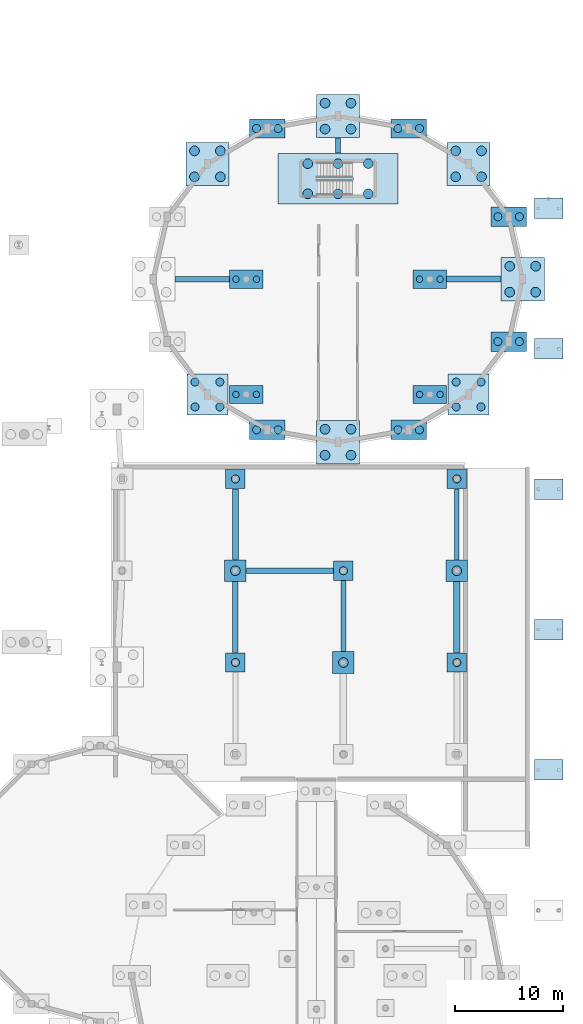
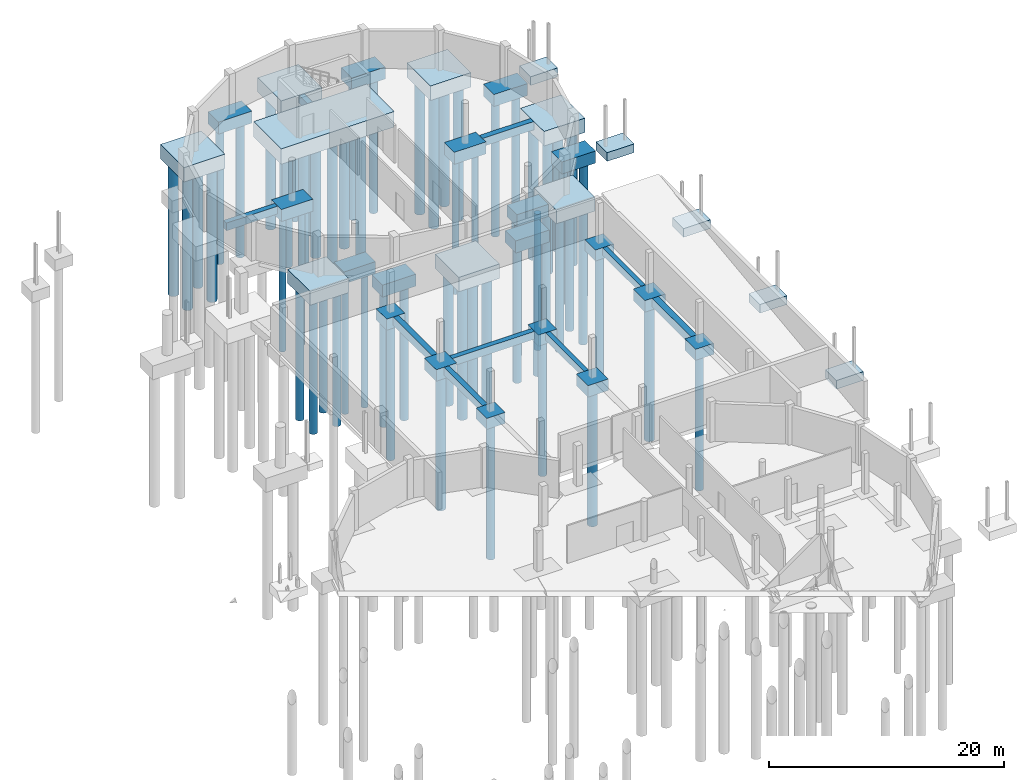
# One storey, part 5 of 43: 62 piles, 40 footings.
"""IFC4 building model written with IfcOpenShell, lengths in metres."""

from ifc_helpers import new_model, si_unit, direction, frame, origin, origin_2d, place, context, subcontext, project, spatial, rectangle, circle, extrude, material, material_profile, profile_set, type_object, element, save


model = new_model("IFC4")

# Units and contexts
model_context = context("Model", 3, precision=1e-05, world=origin(), true_north=direction((0.0, 1.0)))
body_context = subcontext(model_context, "Body", "Model", "MODEL_VIEW")
ifc_project = project(units=[si_unit("LENGTHUNIT", "METRE"), si_unit("AREAUNIT", "SQUARE_METRE"), si_unit("VOLUMEUNIT", "CUBIC_METRE"), si_unit("PLANEANGLEUNIT", "RADIAN"), si_unit("MASSUNIT", "GRAM", prefix="KILO")], contexts=[model_context])

# Site, building, storey
site_placement = place(None, origin())
site = spatial("IfcSite", under=ifc_project, at=site_placement, CompositionType="ELEMENT")
building_placement = place(site_placement, origin())
building = spatial("IfcBuilding", under=site, at=building_placement, Name="Vespera Passage Community Centre", CompositionType="ELEMENT")
storey_placement = place(building_placement, frame((0.0, 0.0, -4.199951171875)))
storey = spatial("IfcBuildingStorey", under=building, at=storey_placement, Name="B1", CompositionType="ELEMENT", Elevation=-4.199951171875)

# Footings
ifc_material_1 = material(Name="Concrete f'c 35 MPa", Category="concrete")
footing_type_1 = type_object("IfcFootingType", Name="FB-01", PredefinedType="FOOTING_BEAM", material=ifc_material_1)
footing_1_placement = place(storey_placement, frame((143.0, 101.875, -0.80029296875), z_axis=(0.0, 0.0, 1.0), x_axis=(0.0, 1.0, 0.0)))
element("IfcFooting", 1, at=footing_1_placement, inside=storey, type_object=footing_type_1, Name="Void-Formed Grade Beam 1", PredefinedType="FOOTING_BEAM", context=body_context, shape_type="SweptSolid", body=[
    extrude(rectangle(XDim=1.419921875, YDim=0.5, at=origin_2d()), origin(), (0.0, 0.0, 1.0), 0.800048828125),
])
footing_2_placement = place(storey_placement, frame((130.425048828125, 89.5, -0.80029296875), z_axis=(0.0, 0.0, 1.0), x_axis=(-1.0, 0.0, 0.0)))
element("IfcFooting", 2, at=footing_2_placement, inside=storey, type_object=footing_type_1, Name="Void-Formed Grade Beam 13", PredefinedType="FOOTING_BEAM", context=body_context, shape_type="SweptSolid", body=[
    extrude(rectangle(XDim=5.02001953125, YDim=0.5, at=origin_2d()), origin(), (0.0, 0.0, 1.0), 0.800048828125),
])
footing_3_placement = place(storey_placement, frame((133.5, 58.199951171875, -0.80029296875), z_axis=(0.0, 0.0, 1.0), x_axis=(0.0, 1.0, 0.0)))
element("IfcFooting", 3, at=footing_3_placement, inside=storey, type_object=footing_type_1, Name="Void-Formed Grade Beam 21", PredefinedType="FOOTING_BEAM", context=body_context, shape_type="SweptSolid", body=[
    extrude(rectangle(XDim=6.570068359375, YDim=0.5, at=origin_2d()), origin(), (0.0, 0.0, 1.0), 0.800048828125),
])
footing_4_placement = place(storey_placement, frame((138.550048828125, 62.5, -0.80029296875), z_axis=(0.0, 0.0, 1.0), x_axis=(-1.0, 0.0, 0.0)))
element("IfcFooting", 4, at=footing_4_placement, inside=storey, type_object=footing_type_1, Name="Void-Formed Grade Beam 25", PredefinedType="FOOTING_BEAM", context=body_context, shape_type="SweptSolid", body=[
    extrude(rectangle(XDim=8.070068359375, YDim=0.5, at=origin_2d()), origin(), (0.0, 0.0, 1.0), 0.800048828125),
])
ifc_material_2 = material(Name="Concrete f'c 35 MPa", Category="concrete")
footing_type_2 = type_object("IfcFootingType", Name="FB-02", PredefinedType="FOOTING_BEAM", material=ifc_material_2)
footing_5_placement = place(storey_placement, frame((155.574951171875, 89.5, -0.85009765625), z_axis=(0.0, 0.0, 1.0), x_axis=(1.0, 0.0, 0.0)))
element("IfcFooting", 5, at=footing_5_placement, inside=storey, type_object=footing_type_2, Name="Void-Formed Grade Beam 14", PredefinedType="FOOTING_BEAM", context=body_context, shape_type="SweptSolid", body=[
    extrude(rectangle(XDim=5.02001953125, YDim=0.550048828125, at=origin_2d()), origin(), (0.0, 0.0, 1.0), 0.85009765625),
])
footing_6_placement = place(storey_placement, frame((133.5, 66.800048828125, -0.85009765625), z_axis=(0.0, 0.0, 1.0), x_axis=(0.0, 1.0, 0.0)))
element("IfcFooting", 6, at=footing_6_placement, inside=storey, type_object=footing_type_2, Name="Void-Formed Grade Beam 22", PredefinedType="FOOTING_BEAM", context=body_context, shape_type="SweptSolid", body=[
    extrude(rectangle(XDim=6.570068359375, YDim=0.550048828125, at=origin_2d()), origin(), (0.0, 0.0, 1.0), 0.85009765625),
])
ifc_material_3 = material(Name="Concrete f'c 35 MPa", Category="concrete")
footing_type_3 = type_object("IfcFootingType", Name="FB-03", PredefinedType="FOOTING_BEAM", material=ifc_material_3)
footing_7_placement = place(storey_placement, frame((154.0, 58.199951171875, -0.89990234375), z_axis=(0.0, 0.0, 1.0), x_axis=(0.0, 1.0, 0.0)))
element("IfcFooting", 7, at=footing_7_placement, inside=storey, type_object=footing_type_3, Name="Void-Formed Grade Beam 27", PredefinedType="FOOTING_BEAM", context=body_context, shape_type="SweptSolid", body=[
    extrude(rectangle(XDim=6.570068359375, YDim=0.60009765625, at=origin_2d()), origin(), (0.0, 0.0, 1.0), 0.89990234375),
])
ifc_material_4 = material(Name="Concrete f'c 35 MPa", Category="concrete")
footing_type_4 = type_object("IfcFootingType", Name="FB-04", PredefinedType="FOOTING_BEAM", material=ifc_material_4)
for number, where, z_axis, x_axis, name in (
    (8, (143.5, 58.300048828125, -0.75), (0.0, 0.0, 1.0), (0.0, 1.0, 0.0), "Void-Formed Grade Beam 24"),
    (9, (154.0, 66.800048828125, -0.75), (0.0, 0.0, 1.0), (0.0, 1.0, 0.0), "Void-Formed Grade Beam 28"),
):
    element("IfcFooting", number, at=place(storey_placement, frame(where, z_axis=z_axis, x_axis=x_axis)), inside=storey, type_object=footing_type_4, Name=name, PredefinedType="FOOTING_BEAM", context=body_context, shape_type="SweptSolid", body=[
        extrude(rectangle(XDim=6.570068359375, YDim=0.449951171875, at=origin_2d()), origin(), (0.0, 0.0, 1.0), 0.75),
    ])

# Piles
ifc_material_5 = material(Name="Concrete f'c 45 MPa", Category="concrete")
ifc_material_profile_1 = material_profile(ifc_material_5, circle(Radius=0.300048828125, at=origin_2d()), Name="PILE600DIA")
ifc_profile_set_1 = profile_set([ifc_material_profile_1], Name="Concrete f'c 45 MPa")
pile_type_1 = type_object("IfcPileType", Name="P-600", PredefinedType="BORED", material=ifc_profile_set_1)
for number, where, z_axis, x_axis, name in (
    (10, (133.550048828125, 78.82275390625, -1.150146484375), (0.0, 0.0, -1.0), (1.0, 0.0, 0.0), "Column V2-B1-11 Bored Pile 1"),
    (11, (135.449951171875, 78.82275390625, -1.150146484375), (0.0, 0.0, -1.0), (1.0, 0.0, 0.0), "Column V2-B1-11 Bored Pile 2"),
    (12, (133.550048828125, 89.5, -1.150146484375), (0.0, 0.0, -1.0), (1.0, 0.0, 0.0), "Column V2-B1-12 Bored Pile 1"),
    (13, (135.449951171875, 89.5, -1.150146484375), (0.0, 0.0, -1.0), (1.0, 0.0, 0.0), "Column V2-B1-12 Bored Pile 2"),
    (14, (150.550048828125, 78.82275390625, -1.150146484375), (0.0, 0.0, -1.0), (1.0, 0.0, 0.0), "Column V2-B1-21 Bored Pile 1"),
    (15, (152.449951171875, 78.82275390625, -1.150146484375), (0.0, 0.0, -1.0), (1.0, 0.0, 0.0), "Column V2-B1-21 Bored Pile 2"),
    (16, (150.550048828125, 89.5, -1.150146484375), (0.0, 0.0, -1.0), (1.0, 0.0, 0.0), "Column V2-B1-22 Bored Pile 1"),
    (17, (152.449951171875, 89.5, -1.150146484375), (0.0, 0.0, -1.0), (1.0, 0.0, 0.0), "Column V2-B1-22 Bored Pile 2"),
):
    element("IfcPile", number, at=place(storey_placement, frame(where, z_axis=z_axis, x_axis=x_axis)), inside=storey, type_object=pile_type_1, Name=name, PredefinedType="BORED", context=body_context, shape_type="SweptSolid", body=[
        extrude(circle(Radius=0.300048828125, at=origin_2d()), origin(), (0.0, 0.0, 1.0), 14.14990234375),
    ])
ifc_material_6 = material(Name="Concrete f'c 45 MPa", Category="concrete")
ifc_material_profile_2 = material_profile(ifc_material_6, circle(Radius=0.375, at=origin_2d()), Name="PILE750DIA")
ifc_profile_set_2 = profile_set([ifc_material_profile_2], Name="Concrete f'c 45 MPa")
pile_type_2 = type_object("IfcPileType", Name="P-750", PredefinedType="BORED", material=ifc_profile_set_2)
for number, where, z_axis, x_axis, name in (
    (18, (157.79833984375, 95.278564453125, -1.150146484375), (0.0, 0.0, -1.0), (1.0, 0.0, 0.0), "Column V2-P02 Bored Pile 1"),
    (19, (159.79833984375, 95.278564453125, -1.150146484375), (0.0, 0.0, -1.0), (1.0, 0.0, 0.0), "Column V2-P02 Bored Pile 2"),
    (20, (148.5439453125, 103.45068359375, -1.150146484375), (0.0, 0.0, -1.0), (1.0, 0.0, 0.0), "Column V2-P04 Bored Pile 1"),
    (21, (150.5439453125, 103.45068359375, -1.150146484375), (0.0, 0.0, -1.0), (1.0, 0.0, 0.0), "Column V2-P04 Bored Pile 2"),
    (22, (135.4560546875, 103.45068359375, -1.150146484375), (0.0, 0.0, -1.0), (1.0, 0.0, 0.0), "Column V2-P06 Bored Pile 1"),
    (23, (137.4560546875, 103.45068359375, -1.150146484375), (0.0, 0.0, -1.0), (1.0, 0.0, 0.0), "Column V2-P06 Bored Pile 2"),
):
    element("IfcPile", number, at=place(storey_placement, frame(where, z_axis=z_axis, x_axis=x_axis)), inside=storey, type_object=pile_type_2, Name=name, PredefinedType="BORED", context=body_context, shape_type="SweptSolid", body=[
        extrude(circle(Radius=0.375, at=origin_2d()), origin(), (0.0, 0.0, 1.0), 14.14990234375),
    ])
for number, where, z_axis, x_axis, name in (
    (24, (129.758544921875, 77.672607421875, -1.35009765625), (0.0, 0.0, -1.0), (1.0, 0.0, 0.0), "Column V2-P11 Bored Pile 1"),
    (25, (132.05859375, 77.672607421875, -1.35009765625), (0.0, 0.0, -1.0), (1.0, 0.0, 0.0), "Column V2-P11 Bored Pile 2"),
    (26, (129.758544921875, 79.97265625, -1.35009765625), (0.0, 0.0, -1.0), (1.0, 0.0, 0.0), "Column V2-P11 Bored Pile 3"),
    (27, (132.05859375, 79.97265625, -1.35009765625), (0.0, 0.0, -1.0), (1.0, 0.0, 0.0), "Column V2-P11 Bored Pile 4"),
):
    element("IfcPile", number, at=place(storey_placement, frame(where, z_axis=z_axis, x_axis=x_axis)), inside=storey, type_object=pile_type_2, Name=name, PredefinedType="BORED", context=body_context, shape_type="SweptSolid", body=[
        extrude(circle(Radius=0.375, at=origin_2d()), origin(), (0.0, 0.0, 1.0), 13.949951171875),
    ])
for number, where, z_axis, x_axis, name in (
    (28, (135.4560546875, 75.54931640625, -1.150146484375), (0.0, 0.0, -1.0), (1.0, 0.0, 0.0), "Column V2-P12 Bored Pile 1"),
    (29, (137.4560546875, 75.54931640625, -1.150146484375), (0.0, 0.0, -1.0), (1.0, 0.0, 0.0), "Column V2-P12 Bored Pile 2"),
    (30, (148.5439453125, 75.54931640625, -1.150146484375), (0.0, 0.0, -1.0), (1.0, 0.0, 0.0), "Column V2-P14 Bored Pile 1"),
    (31, (150.5439453125, 75.54931640625, -1.150146484375), (0.0, 0.0, -1.0), (1.0, 0.0, 0.0), "Column V2-P14 Bored Pile 2"),
):
    element("IfcPile", number, at=place(storey_placement, frame(where, z_axis=z_axis, x_axis=x_axis)), inside=storey, type_object=pile_type_2, Name=name, PredefinedType="BORED", context=body_context, shape_type="SweptSolid", body=[
        extrude(circle(Radius=0.375, at=origin_2d()), origin(), (0.0, 0.0, 1.0), 14.14990234375),
    ])
for number, where, z_axis, x_axis, name in (
    (32, (153.94140625, 77.672607421875, -1.35009765625), (0.0, 0.0, -1.0), (1.0, 0.0, 0.0), "Column V2-P15 Bored Pile 1"),
    (33, (156.241455078125, 77.672607421875, -1.35009765625), (0.0, 0.0, -1.0), (1.0, 0.0, 0.0), "Column V2-P15 Bored Pile 2"),
    (34, (153.94140625, 79.97265625, -1.35009765625), (0.0, 0.0, -1.0), (1.0, 0.0, 0.0), "Column V2-P15 Bored Pile 3"),
    (35, (156.241455078125, 79.97265625, -1.35009765625), (0.0, 0.0, -1.0), (1.0, 0.0, 0.0), "Column V2-P15 Bored Pile 4"),
):
    element("IfcPile", number, at=place(storey_placement, frame(where, z_axis=z_axis, x_axis=x_axis)), inside=storey, type_object=pile_type_2, Name=name, PredefinedType="BORED", context=body_context, shape_type="SweptSolid", body=[
        extrude(circle(Radius=0.375, at=origin_2d()), origin(), (0.0, 0.0, 1.0), 13.949951171875),
    ])
for number, where, z_axis, x_axis, name in (
    (36, (157.79833984375, 83.721435546875, -1.150146484375), (0.0, 0.0, -1.0), (1.0, 0.0, 0.0), "Column V2-P16 Bored Pile 1"),
    (37, (159.79833984375, 83.721435546875, -1.150146484375), (0.0, 0.0, -1.0), (1.0, 0.0, 0.0), "Column V2-P16 Bored Pile 2"),
):
    element("IfcPile", number, at=place(storey_placement, frame(where, z_axis=z_axis, x_axis=x_axis)), inside=storey, type_object=pile_type_2, Name=name, PredefinedType="BORED", context=body_context, shape_type="SweptSolid", body=[
        extrude(circle(Radius=0.375, at=origin_2d()), origin(), (0.0, 0.0, 1.0), 14.14990234375),
    ])
for number, where, z_axis, x_axis, name in (
    (38, (133.5, 54.0, -1.050048828125), (0.0, 0.0, -1.0), (1.0, 0.0, 0.0), "Column GAR-C22 Bored Pile 1"),
    (39, (133.5, 71.0, -1.050048828125), (0.0, 0.0, -1.0), (1.0, 0.0, 0.0), "Column GAR-C24 Bored Pile 1"),
    (40, (143.5, 62.5, -1.050048828125), (0.0, 0.0, -1.0), (1.0, 0.0, 0.0), "Column GAR-C33 Bored Pile 1"),
    (41, (154.0, 54.0, -1.050048828125), (0.0, 0.0, -1.0), (1.0, 0.0, 0.0), "Column GAR-C42 Bored Pile 1"),
    (42, (154.0, 71.0, -1.050048828125), (0.0, 0.0, -1.0), (1.0, 0.0, 0.0), "Column GAR-C44 Bored Pile 1"),
):
    element("IfcPile", number, at=place(storey_placement, frame(where, z_axis=z_axis, x_axis=x_axis)), inside=storey, type_object=pile_type_2, Name=name, PredefinedType="BORED", context=body_context, shape_type="SweptSolid", body=[
        extrude(circle(Radius=0.375, at=origin_2d()), origin(), (0.0, 0.0, 1.0), 14.25),
    ])
ifc_material_7 = material(Name="Concrete f'c 45 MPa", Category="concrete")
ifc_material_profile_3 = material_profile(ifc_material_7, circle(Radius=0.449951171875, at=origin_2d()), Name="PILE900DIA")
ifc_profile_set_3 = profile_set([ifc_material_profile_3], Name="Concrete f'c 45 MPa")
pile_type_3 = type_object("IfcPileType", Name="P-900", PredefinedType="BORED", material=ifc_profile_set_3)
for number, where, z_axis, x_axis, name in (
    (43, (140.199951171875, 97.39990234375, -1.5), (0.0, 0.0, -1.0), (1.0, 0.0, 0.0), "Core C6 Bored Pile 1"),
    (44, (143.0, 97.39990234375, -1.5), (0.0, 0.0, -1.0), (1.0, 0.0, 0.0), "Core C6 Bored Pile 2"),
    (45, (145.800048828125, 97.39990234375, -1.5), (0.0, 0.0, -1.0), (1.0, 0.0, 0.0), "Core C6 Bored Pile 3"),
    (46, (140.199951171875, 100.199951171875, -1.5), (0.0, 0.0, -1.0), (1.0, 0.0, 0.0), "Core C6 Bored Pile 4"),
    (47, (143.0, 100.199951171875, -1.5), (0.0, 0.0, -1.0), (1.0, 0.0, 0.0), "Core C6 Bored Pile 5"),
    (48, (145.800048828125, 100.199951171875, -1.5), (0.0, 0.0, -1.0), (1.0, 0.0, 0.0), "Core C6 Bored Pile 6"),
):
    element("IfcPile", number, at=place(storey_placement, frame(where, z_axis=z_axis, x_axis=x_axis)), inside=storey, type_object=pile_type_3, Name=name, PredefinedType="BORED", context=body_context, shape_type="SweptSolid", body=[
        extrude(circle(Radius=0.449951171875, at=origin_2d()), origin(), (0.0, 0.0, 1.0), 13.800048828125),
    ])
for number, where, z_axis, x_axis, name in (
    (49, (158.89990234375, 88.300048828125, -1.400146484375), (0.0, 0.0, -1.0), (1.0, 0.0, 0.0), "Column V2-P01 Bored Pile 1"),
    (50, (161.300048828125, 88.300048828125, -1.400146484375), (0.0, 0.0, -1.0), (1.0, 0.0, 0.0), "Column V2-P01 Bored Pile 2"),
    (51, (158.89990234375, 90.699951171875, -1.400146484375), (0.0, 0.0, -1.0), (1.0, 0.0, 0.0), "Column V2-P01 Bored Pile 3"),
    (52, (161.300048828125, 90.699951171875, -1.400146484375), (0.0, 0.0, -1.0), (1.0, 0.0, 0.0), "Column V2-P01 Bored Pile 4"),
    (53, (153.8916015625, 98.977294921875, -1.400146484375), (0.0, 0.0, -1.0), (1.0, 0.0, 0.0), "Column V2-P03 Bored Pile 1"),
    (54, (156.29150390625, 98.977294921875, -1.400146484375), (0.0, 0.0, -1.0), (1.0, 0.0, 0.0), "Column V2-P03 Bored Pile 2"),
    (55, (153.8916015625, 101.377197265625, -1.400146484375), (0.0, 0.0, -1.0), (1.0, 0.0, 0.0), "Column V2-P03 Bored Pile 3"),
    (56, (156.29150390625, 101.377197265625, -1.400146484375), (0.0, 0.0, -1.0), (1.0, 0.0, 0.0), "Column V2-P03 Bored Pile 4"),
    (57, (141.800048828125, 103.39990234375, -1.400146484375), (0.0, 0.0, -1.0), (1.0, 0.0, 0.0), "Column V2-P05 Bored Pile 1"),
    (58, (144.199951171875, 103.39990234375, -1.400146484375), (0.0, 0.0, -1.0), (1.0, 0.0, 0.0), "Column V2-P05 Bored Pile 2"),
    (59, (141.800048828125, 105.800048828125, -1.400146484375), (0.0, 0.0, -1.0), (1.0, 0.0, 0.0), "Column V2-P05 Bored Pile 3"),
    (60, (144.199951171875, 105.800048828125, -1.400146484375), (0.0, 0.0, -1.0), (1.0, 0.0, 0.0), "Column V2-P05 Bored Pile 4"),
    (61, (129.70849609375, 98.977294921875, -1.400146484375), (0.0, 0.0, -1.0), (1.0, 0.0, 0.0), "Column V2-P07 Bored Pile 1"),
    (62, (132.1083984375, 98.977294921875, -1.400146484375), (0.0, 0.0, -1.0), (1.0, 0.0, 0.0), "Column V2-P07 Bored Pile 2"),
    (63, (129.70849609375, 101.377197265625, -1.400146484375), (0.0, 0.0, -1.0), (1.0, 0.0, 0.0), "Column V2-P07 Bored Pile 3"),
    (64, (132.1083984375, 101.377197265625, -1.400146484375), (0.0, 0.0, -1.0), (1.0, 0.0, 0.0), "Column V2-P07 Bored Pile 4"),
    (65, (141.800048828125, 73.199951171875, -1.400146484375), (0.0, 0.0, -1.0), (1.0, 0.0, 0.0), "Column V2-P13 Bored Pile 1"),
    (66, (144.199951171875, 73.199951171875, -1.400146484375), (0.0, 0.0, -1.0), (1.0, 0.0, 0.0), "Column V2-P13 Bored Pile 2"),
    (67, (141.800048828125, 75.60009765625, -1.400146484375), (0.0, 0.0, -1.0), (1.0, 0.0, 0.0), "Column V2-P13 Bored Pile 3"),
    (68, (144.199951171875, 75.60009765625, -1.400146484375), (0.0, 0.0, -1.0), (1.0, 0.0, 0.0), "Column V2-P13 Bored Pile 4"),
):
    element("IfcPile", number, at=place(storey_placement, frame(where, z_axis=z_axis, x_axis=x_axis)), inside=storey, type_object=pile_type_3, Name=name, PredefinedType="BORED", context=body_context, shape_type="SweptSolid", body=[
        extrude(circle(Radius=0.449951171875, at=origin_2d()), origin(), (0.0, 0.0, 1.0), 13.89990234375),
    ])
for number, where, z_axis, x_axis, name in (
    (69, (133.5, 62.5, -1.10009765625), (0.0, 0.0, -1.0), (1.0, 0.0, 0.0), "Column GAR-C23 Bored Pile 1"),
    (70, (143.5, 54.0, -1.10009765625), (0.0, 0.0, -1.0), (1.0, 0.0, 0.0), "Column GAR-C32 Bored Pile 1"),
    (71, (154.0, 62.5, -1.10009765625), (0.0, 0.0, -1.0), (1.0, 0.0, 0.0), "Column GAR-C43 Bored Pile 1"),
):
    element("IfcPile", number, at=place(storey_placement, frame(where, z_axis=z_axis, x_axis=x_axis)), inside=storey, type_object=pile_type_3, Name=name, PredefinedType="BORED", context=body_context, shape_type="SweptSolid", body=[
        extrude(circle(Radius=0.449951171875, at=origin_2d()), origin(), (0.0, 0.0, 1.0), 14.199951171875),
    ])

# Footings
ifc_material_8 = material(Name="Concrete f'c 35 MPa", Category="concrete")
footing_type_5 = type_object("IfcFootingType", Name="PC-02", PredefinedType="PILE_CAP", material=ifc_material_8)
for number, where, z_axis, x_axis, name in (
    (72, (133.5, 54.0, -1.14990234375), (0.0, 0.0, 1.0), (1.0, 0.0, 0.0), "Column GAR-C22 Pile Cap"),
    (73, (133.5, 71.0, -1.14990234375), (0.0, 0.0, 1.0), (1.0, 0.0, 0.0), "Column GAR-C24 Pile Cap"),
    (74, (143.5, 62.5, -1.14990234375), (0.0, 0.0, 1.0), (1.0, 0.0, 0.0), "Column GAR-C33 Pile Cap"),
    (75, (154.0, 54.0, -1.14990234375), (0.0, 0.0, 1.0), (1.0, 0.0, 0.0), "Column GAR-C42 Pile Cap"),
    (76, (154.0, 71.0, -1.14990234375), (0.0, 0.0, 1.0), (1.0, 0.0, 0.0), "Column GAR-C44 Pile Cap"),
):
    element("IfcFooting", number, at=place(storey_placement, frame(where, z_axis=z_axis, x_axis=x_axis)), inside=storey, type_object=footing_type_5, Name=name, PredefinedType="PILE_CAP", context=body_context, shape_type="SweptSolid", body=[
        extrude(rectangle(XDim=1.800048828125, YDim=1.800048828125, at=origin_2d()), origin(), (0.0, 0.0, 1.0), 1.14990234375),
    ])
ifc_material_9 = material(Name="Concrete f'c 35 MPa", Category="concrete")
footing_type_6 = type_object("IfcFootingType", Name="PC-03", PredefinedType="PILE_CAP", material=ifc_material_9)
for number, where, z_axis, x_axis, name in (
    (77, (133.5, 62.5, -1.2001953125), (0.0, 0.0, 1.0), (1.0, 0.0, 0.0), "Column GAR-C23 Pile Cap"),
    (78, (143.5, 54.0, -1.2001953125), (0.0, 0.0, 1.0), (1.0, 0.0, 0.0), "Column GAR-C32 Pile Cap"),
    (79, (154.0, 62.5, -1.2001953125), (0.0, 0.0, 1.0), (1.0, 0.0, 0.0), "Column GAR-C43 Pile Cap"),
):
    element("IfcFooting", number, at=place(storey_placement, frame(where, z_axis=z_axis, x_axis=x_axis)), inside=storey, type_object=footing_type_6, Name=name, PredefinedType="PILE_CAP", context=body_context, shape_type="SweptSolid", body=[
        extrude(rectangle(XDim=2.0, YDim=2.0, at=origin_2d()), origin(), (0.0, 0.0, 1.0), 1.199951171875),
    ])
ifc_material_10 = material(Name="Concrete f'c 35 MPa", Category="concrete")
footing_type_7 = type_object("IfcFootingType", Name="PC-05", PredefinedType="PILE_CAP", material=ifc_material_10)
for number, where, z_axis, x_axis, name in (
    (80, (134.5, 78.82275390625, -1.25), (0.0, 0.0, 1.0), (1.0, 0.0, 0.0), "Column V2-B1-11 Pile Cap"),
    (81, (134.5, 89.5, -1.25), (0.0, 0.0, 1.0), (1.0, 0.0, 0.0), "Column V2-B1-12 Pile Cap"),
    (82, (151.5, 78.82275390625, -1.25), (0.0, 0.0, 1.0), (1.0, 0.0, 0.0), "Column V2-B1-21 Pile Cap"),
    (83, (151.5, 89.5, -1.25), (0.0, 0.0, 1.0), (1.0, 0.0, 0.0), "Column V2-B1-22 Pile Cap"),
):
    element("IfcFooting", number, at=place(storey_placement, frame(where, z_axis=z_axis, x_axis=x_axis)), inside=storey, type_object=footing_type_7, Name=name, PredefinedType="PILE_CAP", context=body_context, shape_type="SweptSolid", body=[
        extrude(rectangle(XDim=3.10009765625, YDim=1.699951171875, at=origin_2d()), origin(), (0.0, 0.0, 1.0), 1.25),
    ])
ifc_material_11 = material(Name="Concrete f'c 35 MPa", Category="concrete")
footing_type_8 = type_object("IfcFootingType", Name="PC-06", PredefinedType="PILE_CAP", material=ifc_material_11)
for number, where, z_axis, x_axis, name in (
    (84, (158.79833984375, 95.278564453125, -1.25), (0.0, 0.0, 1.0), (1.0, 0.0, 0.0), "Column V2-P02 Pile Cap"),
    (85, (149.5439453125, 103.45068359375, -1.25), (0.0, 0.0, 1.0), (1.0, 0.0, 0.0), "Column V2-P04 Pile Cap"),
    (86, (136.4560546875, 103.45068359375, -1.25), (0.0, 0.0, 1.0), (1.0, 0.0, 0.0), "Column V2-P06 Pile Cap"),
    (87, (136.4560546875, 75.54931640625, -1.25), (0.0, 0.0, 1.0), (1.0, 0.0, 0.0), "Column V2-P12 Pile Cap"),
    (88, (149.5439453125, 75.54931640625, -1.25), (0.0, 0.0, 1.0), (1.0, 0.0, 0.0), "Column V2-P14 Pile Cap"),
    (89, (158.79833984375, 83.721435546875, -1.25), (0.0, 0.0, 1.0), (1.0, 0.0, 0.0), "Column V2-P16 Pile Cap"),
):
    element("IfcFooting", number, at=place(storey_placement, frame(where, z_axis=z_axis, x_axis=x_axis)), inside=storey, type_object=footing_type_8, Name=name, PredefinedType="PILE_CAP", context=body_context, shape_type="SweptSolid", body=[
        extrude(rectangle(XDim=3.300048828125, YDim=1.800048828125, at=origin_2d()), origin(), (0.0, 0.0, 1.0), 1.25),
    ])
ifc_material_12 = material(Name="Concrete f'c 35 MPa", Category="concrete")
footing_type_9 = type_object("IfcFootingType", Name="PC-14", PredefinedType="PILE_CAP", material=ifc_material_12)
for number, where, z_axis, x_axis, name in (
    (90, (130.908447265625, 78.82275390625, -1.4501953125), (0.0, 0.0, 1.0), (1.0, 0.0, 0.0), "Column V2-P11 Pile Cap"),
    (91, (155.091552734375, 78.82275390625, -1.4501953125), (0.0, 0.0, 1.0), (1.0, 0.0, 0.0), "Column V2-P15 Pile Cap"),
):
    element("IfcFooting", number, at=place(storey_placement, frame(where, z_axis=z_axis, x_axis=x_axis)), inside=storey, type_object=footing_type_9, Name=name, PredefinedType="PILE_CAP", context=body_context, shape_type="SweptSolid", body=[
        extrude(rectangle(XDim=3.800048828125, YDim=3.800048828125, at=origin_2d()), origin(), (0.0, 0.0, 1.0), 1.449951171875),
    ])
ifc_material_13 = material(Name="Concrete f'c 35 MPa", Category="concrete")
footing_type_10 = type_object("IfcFootingType", Name="PC-15", PredefinedType="PILE_CAP", material=ifc_material_13)
for number, where, z_axis, x_axis, name in (
    (92, (160.10009765625, 89.5, -1.5), (0.0, 0.0, 1.0), (1.0, 0.0, 0.0), "Column V2-P01 Pile Cap"),
    (93, (155.091552734375, 100.17724609375, -1.5), (0.0, 0.0, 1.0), (1.0, 0.0, 0.0), "Column V2-P03 Pile Cap"),
    (94, (143.0, 104.60009765625, -1.5), (0.0, 0.0, 1.0), (1.0, 0.0, 0.0), "Column V2-P05 Pile Cap"),
    (95, (130.908447265625, 100.17724609375, -1.5), (0.0, 0.0, 1.0), (1.0, 0.0, 0.0), "Column V2-P07 Pile Cap"),
    (96, (143.0, 74.39990234375, -1.5), (0.0, 0.0, 1.0), (1.0, 0.0, 0.0), "Column V2-P13 Pile Cap"),
):
    element("IfcFooting", number, at=place(storey_placement, frame(where, z_axis=z_axis, x_axis=x_axis)), inside=storey, type_object=footing_type_10, Name=name, PredefinedType="PILE_CAP", context=body_context, shape_type="SweptSolid", body=[
        extrude(rectangle(XDim=4.0, YDim=4.0, at=origin_2d()), origin(), (0.0, 0.0, 1.0), 1.5),
    ])
ifc_material_14 = material(Name="Concrete f'c 35 MPa", Category="concrete")
footing_type_11 = type_object("IfcFootingType", Name="PC-23", PredefinedType="PILE_CAP", material=ifc_material_14)
footing_8_placement = place(storey_placement, frame((143.0, 98.800048828125, -1.60009765625), z_axis=(0.0, 0.0, 1.0), x_axis=(1.0, 0.0, 0.0)))
element("IfcFooting", 97, at=footing_8_placement, inside=storey, type_object=footing_type_11, Name="Core C6 Pile Cap", PredefinedType="PILE_CAP", context=body_context, shape_type="SweptSolid", body=[
    extrude(rectangle(XDim=11.10009765625, YDim=4.699951171875, at=origin_2d()), origin(), (0.0, 0.0, 1.0), 1.60009765625),
])
ifc_material_15 = material(Name="Concrete f'c 35 MPa", Category="concrete")
footing_type_12 = type_object("IfcFootingType", Name="PF-06", PredefinedType="PAD_FOOTING", material=ifc_material_15)
for number, where, z_axis, x_axis, name in (
    (98, (162.5, 44.050048828125, -0.89990234375), (0.0, 0.0, 1.0), (1.0, 0.0, 0.0), "Garden Bridge Pier 3 Combined Pad Footing"),
    (99, (162.5, 57.050048828125, -0.89990234375), (0.0, 0.0, 1.0), (1.0, 0.0, 0.0), "Garden Bridge Pier 4 Combined Pad Footing"),
    (100, (162.5, 70.050048828125, -0.89990234375), (0.0, 0.0, 1.0), (1.0, 0.0, 0.0), "Garden Bridge Pier 5 Combined Pad Footing"),
    (101, (162.5, 83.050048828125, -0.89990234375), (0.0, 0.0, 1.0), (1.0, 0.0, 0.0), "Garden Bridge Pier 6 Combined Pad Footing"),
    (102, (162.5, 96.050048828125, -0.89990234375), (0.0, 0.0, 1.0), (1.0, 0.0, 0.0), "Garden Bridge Pier 7 Combined Pad Footing"),
):
    element("IfcFooting", number, at=place(storey_placement, frame(where, z_axis=z_axis, x_axis=x_axis)), inside=storey, type_object=footing_type_12, Name=name, PredefinedType="PAD_FOOTING", context=body_context, shape_type="SweptSolid", body=[
        extrude(rectangle(XDim=2.64990234375, YDim=1.89990234375, at=origin_2d()), origin(), (0.0, 0.0, 1.0), 0.89990234375),
    ])

save(model, "model.ifc")
